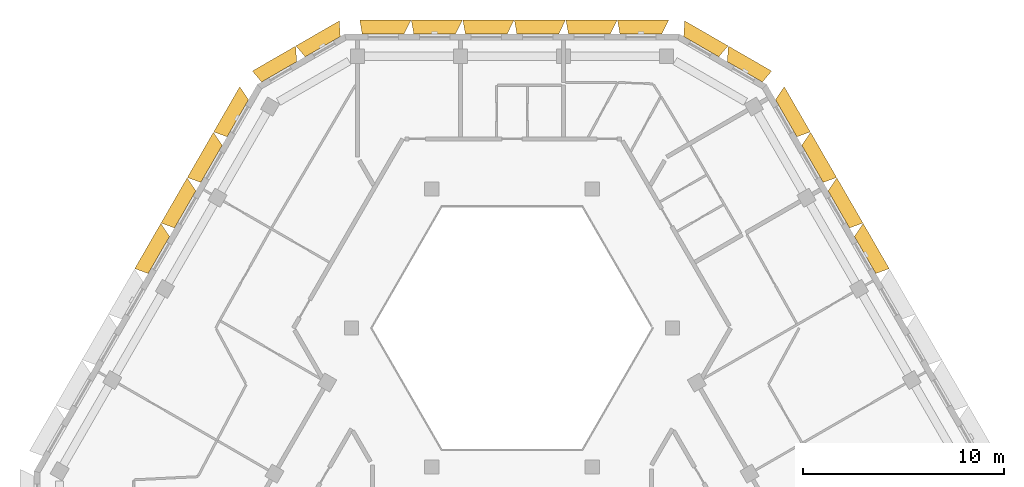
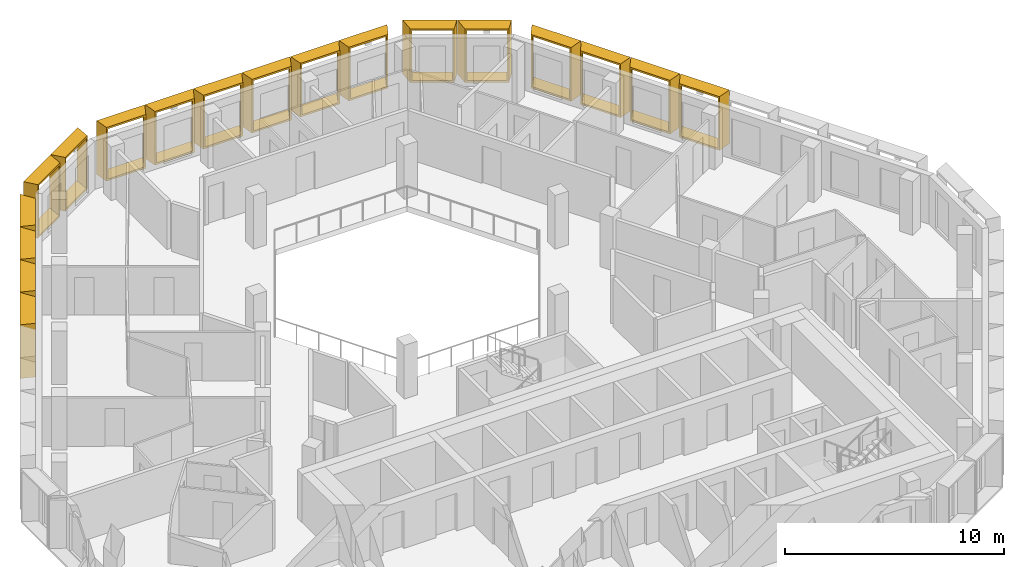
# One storey, part 16 of 16: 18 shading devices.
"""IFC4 building model written with IfcOpenShell, lengths in metres."""

from ifc_helpers import new_model, entity, si_unit, direction, frame, origin, place, context, subcontext, project, spatial, source, transform, mapped, material, type_object, type_shapes, element, save


model = new_model("IFC4")

# Units and contexts
model_context = context("Model", 3, precision=1e-05, world=origin(), true_north=direction((0.0, 1.0)))
body_context = subcontext(model_context, "Body", "Model", "MODEL_VIEW")
ifc_project = project(units=[si_unit("LENGTHUNIT", "METRE"), si_unit("AREAUNIT", "SQUARE_METRE"), si_unit("VOLUMEUNIT", "CUBIC_METRE"), si_unit("PLANEANGLEUNIT", "RADIAN"), si_unit("MASSUNIT", "GRAM", prefix="KILO")], contexts=[model_context])

# Site, building, storey
site_placement = place(None, origin())
site = spatial("IfcSite", under=ifc_project, at=site_placement, CompositionType="ELEMENT")
building_placement = place(site_placement, origin())
building = spatial("IfcBuilding", under=site, at=building_placement, Name="Beryl Residences", CompositionType="ELEMENT")
storey_placement = place(building_placement, frame((0.0, 0.0, 226.800048828125)))
storey = spatial("IfcBuildingStorey", under=building, at=storey_placement, Name="L70", CompositionType="ELEMENT", Elevation=226.800048828125)

# Shading devices
ifc_material_1 = material(Name="Aluminium pale anodised", Category="aluminium")
shading_device_type_1 = type_object("IfcShadingDeviceType", Name="FR250-70B OUTER SKIN frame 700 mm deep, splay 26/10 deg, 2500 x 3000 mm cell", PredefinedType="USERDEFINED", material=ifc_material_1)
cartesian_point_1 = entity("IfcCartesianPoint", [-1.007568359375, 0.0])
cartesian_point_2 = entity("IfcCartesianPoint", [-0.91845703125, 0.10009765625])
cartesian_point_3 = entity("IfcCartesianPoint", [-1.348876953125, 0.0])
cartesian_point_4 = entity("IfcCartesianPoint", [-1.260009765625, 0.10009765625])
shared_shape_1 = source(origin(), body_context, "Body", "SweptSolid", [
    entity("IfcExtrudedAreaSolidTapered", entity("IfcArbitraryProfileDefWithVoids", "AREA", None, entity("IfcPolyline", [cartesian_point_1, entity("IfcCartesianPoint", [1.007568359375, 0.0]), entity("IfcCartesianPoint", [1.007568359375, 3.0]), entity("IfcCartesianPoint", [-1.007568359375, 3.0]), cartesian_point_1]), [entity("IfcPolyline", [cartesian_point_2, entity("IfcCartesianPoint", [0.92626953125, 0.10009765625]), entity("IfcCartesianPoint", [0.92626953125, 2.89990234375]), entity("IfcCartesianPoint", [-0.91845703125, 2.89990234375]), cartesian_point_2])]), entity("IfcAxis2Placement3D", entity("IfcCartesianPoint", [0.0, 0.0, 0.0]), entity("IfcDirection", [0.0, 1.0, 0.0]), entity("IfcDirection", [-1.0, 0.0, 0.0])), entity("IfcDirection", [0.0, 0.0, 1.0]), 0.699951171875, entity("IfcArbitraryProfileDefWithVoids", "AREA", None, entity("IfcPolyline", [cartesian_point_3, entity("IfcCartesianPoint", [1.130859375, 0.0]), entity("IfcCartesianPoint", [1.130859375, 3.0]), entity("IfcCartesianPoint", [-1.348876953125, 3.0]), cartesian_point_3]), [entity("IfcPolyline", [cartesian_point_4, entity("IfcCartesianPoint", [1.0498046875, 0.10009765625]), entity("IfcCartesianPoint", [1.0498046875, 2.89990234375]), entity("IfcCartesianPoint", [-1.260009765625, 2.89990234375]), cartesian_point_4])])),
])
type_shapes(shading_device_type_1, [shared_shape_1])
for number, where, z_axis, x_axis, name in (
    (1, (-9.39599609375, 21.97509765625, 0.0), (0.0, 0.0, 1.0), (0.866025403784, 0.5, 0.0), "FR250-70B frame L70 N-NW 1"),
    (2, (-11.56103515625, 20.72509765625, 0.0), (0.0, 0.0, 1.0), (0.866025403784, 0.5, 0.0), "FR250-70B frame L70 N-NW 2"),
):
    element("IfcShadingDevice", number, at=place(storey_placement, frame(where, z_axis=z_axis, x_axis=x_axis)), inside=storey, type_object=shading_device_type_1, Name=name, ObjectType="OUTER SKIN", PredefinedType="USERDEFINED", context=body_context, shape_type="MappedRepresentation", body=[
        mapped(shared_shape_1, transform((0.0, 0.0, 0.0))),
    ])
ifc_material_2 = material(Name="Aluminium pale anodised", Category="aluminium")
shading_device_type_2 = type_object("IfcShadingDeviceType", Name="FR250-70C OUTER SKIN frame 700 mm deep, splay 10/26 deg, 2500 x 3000 mm cell", PredefinedType="USERDEFINED", material=ifc_material_2)
cartesian_point_5 = entity("IfcCartesianPoint", [-1.007568359375, 0.0])
cartesian_point_6 = entity("IfcCartesianPoint", [-0.92626953125, 0.10009765625])
cartesian_point_7 = entity("IfcCartesianPoint", [-1.130859375, 0.0])
cartesian_point_8 = entity("IfcCartesianPoint", [-1.0498046875, 0.10009765625])
shared_shape_2 = source(origin(), body_context, "Body", "SweptSolid", [
    entity("IfcExtrudedAreaSolidTapered", entity("IfcArbitraryProfileDefWithVoids", "AREA", None, entity("IfcPolyline", [cartesian_point_5, entity("IfcCartesianPoint", [1.007568359375, 0.0]), entity("IfcCartesianPoint", [1.007568359375, 3.0]), entity("IfcCartesianPoint", [-1.007568359375, 3.0]), cartesian_point_5]), [entity("IfcPolyline", [cartesian_point_6, entity("IfcCartesianPoint", [0.91845703125, 0.10009765625]), entity("IfcCartesianPoint", [0.91845703125, 2.89990234375]), entity("IfcCartesianPoint", [-0.92626953125, 2.89990234375]), cartesian_point_6])]), entity("IfcAxis2Placement3D", entity("IfcCartesianPoint", [0.0, 0.0, 0.0]), entity("IfcDirection", [0.0, 1.0, 0.0]), entity("IfcDirection", [-1.0, 0.0, 0.0])), entity("IfcDirection", [0.0, 0.0, 1.0]), 0.699951171875, entity("IfcArbitraryProfileDefWithVoids", "AREA", None, entity("IfcPolyline", [cartesian_point_7, entity("IfcCartesianPoint", [1.348876953125, 0.0]), entity("IfcCartesianPoint", [1.348876953125, 3.0]), entity("IfcCartesianPoint", [-1.130859375, 3.0]), cartesian_point_7]), [entity("IfcPolyline", [cartesian_point_8, entity("IfcCartesianPoint", [1.260009765625, 0.10009765625]), entity("IfcCartesianPoint", [1.260009765625, 2.89990234375]), entity("IfcCartesianPoint", [-1.0498046875, 2.89990234375]), cartesian_point_8])])),
])
type_shapes(shading_device_type_2, [shared_shape_2])
for number, where, z_axis, x_axis, name in (
    (3, (11.56103515625, 20.72509765625, 0.0), (0.0, 0.0, 1.0), (0.866025403784, -0.5, 0.0), "FR250-70C frame L70 NE-N 1"),
    (4, (9.39599609375, 21.97509765625, 0.0), (0.0, 0.0, 1.0), (0.866025403784, -0.5, 0.0), "FR250-70C frame L70 NE-N 2"),
):
    element("IfcShadingDevice", number, at=place(storey_placement, frame(where, z_axis=z_axis, x_axis=x_axis)), inside=storey, type_object=shading_device_type_2, Name=name, ObjectType="OUTER SKIN", PredefinedType="USERDEFINED", context=body_context, shape_type="MappedRepresentation", body=[
        mapped(shared_shape_2, transform((0.0, 0.0, 0.0))),
    ])
ifc_material_3 = material(Name="Aluminium pale anodised", Category="aluminium")
shading_device_type_3 = type_object("IfcShadingDeviceType", Name="FR256-70B OUTER SKIN frame 700 mm deep, splay 26/10 deg, 2560 x 3000 mm cell", PredefinedType="USERDEFINED", material=ifc_material_3)
cartesian_point_9 = entity("IfcCartesianPoint", [-1.03759765625, 0.0])
cartesian_point_10 = entity("IfcCartesianPoint", [-0.948486328125, 0.10009765625])
cartesian_point_11 = entity("IfcCartesianPoint", [-1.37890625, 0.0])
cartesian_point_12 = entity("IfcCartesianPoint", [-1.289794921875, 0.10009765625])
shared_shape_3 = source(origin(), body_context, "Body", "SweptSolid", [
    entity("IfcExtrudedAreaSolidTapered", entity("IfcArbitraryProfileDefWithVoids", "AREA", None, entity("IfcPolyline", [cartesian_point_9, entity("IfcCartesianPoint", [1.03759765625, 0.0]), entity("IfcCartesianPoint", [1.03759765625, 3.0]), entity("IfcCartesianPoint", [-1.03759765625, 3.0]), cartesian_point_9]), [entity("IfcPolyline", [cartesian_point_10, entity("IfcCartesianPoint", [0.956298828125, 0.10009765625]), entity("IfcCartesianPoint", [0.956298828125, 2.89990234375]), entity("IfcCartesianPoint", [-0.948486328125, 2.89990234375]), cartesian_point_10])]), entity("IfcAxis2Placement3D", entity("IfcCartesianPoint", [0.0, 0.0, 0.0]), entity("IfcDirection", [0.0, 1.0, 0.0]), entity("IfcDirection", [-1.0, 0.0, 0.0])), entity("IfcDirection", [0.0, 0.0, 1.0]), 0.699951171875, entity("IfcArbitraryProfileDefWithVoids", "AREA", None, entity("IfcPolyline", [cartesian_point_11, entity("IfcCartesianPoint", [1.160888671875, 0.0]), entity("IfcCartesianPoint", [1.160888671875, 3.0]), entity("IfcCartesianPoint", [-1.37890625, 3.0]), cartesian_point_11]), [entity("IfcPolyline", [cartesian_point_12, entity("IfcCartesianPoint", [1.07958984375, 0.10009765625]), entity("IfcCartesianPoint", [1.07958984375, 2.89990234375]), entity("IfcCartesianPoint", [-1.289794921875, 2.89990234375]), cartesian_point_12])])),
])
type_shapes(shading_device_type_3, [shared_shape_3])
for number, where, z_axis, x_axis, name in (
    (5, (6.39892578125, 22.60009765625, 0.0), (0.0, 0.0, 1.0), (1.0, 0.0, 0.0), "FR256-70B frame L70 N 1"),
    (6, (3.840087890625, 22.60009765625, 0.0), (0.0, 0.0, 1.0), (1.0, 0.0, 0.0), "FR256-70B frame L70 N 2"),
    (7, (1.280029296875, 22.60009765625, 0.0), (0.0, 0.0, 1.0), (1.0, 0.0, 0.0), "FR256-70B frame L70 N 3"),
    (8, (-1.279052734375, 22.60009765625, 0.0), (0.0, 0.0, 1.0), (1.0, 0.0, 0.0), "FR256-70B frame L70 N 4"),
    (9, (-3.839111328125, 22.60009765625, 0.0), (0.0, 0.0, 1.0), (1.0, 0.0, 0.0), "FR256-70B frame L70 N 5"),
    (10, (-6.39794921875, 22.60009765625, 0.0), (0.0, 0.0, 1.0), (1.0, 0.0, 0.0), "FR256-70B frame L70 N 6"),
):
    element("IfcShadingDevice", number, at=place(storey_placement, frame(where, z_axis=z_axis, x_axis=x_axis)), inside=storey, type_object=shading_device_type_3, Name=name, ObjectType="OUTER SKIN", PredefinedType="USERDEFINED", context=body_context, shape_type="MappedRepresentation", body=[
        mapped(shared_shape_3, transform((0.0, 0.0, 0.0))),
    ])
ifc_material_4 = material(Name="Aluminium pale anodised", Category="aluminium")
shading_device_type_4 = type_object("IfcShadingDeviceType", Name="FR261-70B OUTER SKIN frame 700 mm deep, splay 26/10 deg, 2610 x 3000 mm cell", PredefinedType="USERDEFINED", material=ifc_material_4)
cartesian_point_13 = entity("IfcCartesianPoint", [-1.0625, 0.0])
cartesian_point_14 = entity("IfcCartesianPoint", [-0.973388671875, 0.10009765625])
cartesian_point_15 = entity("IfcCartesianPoint", [-1.40380859375, 0.0])
cartesian_point_16 = entity("IfcCartesianPoint", [-1.31494140625, 0.10009765625])
shared_shape_4 = source(origin(), body_context, "Body", "SweptSolid", [
    entity("IfcExtrudedAreaSolidTapered", entity("IfcArbitraryProfileDefWithVoids", "AREA", None, entity("IfcPolyline", [cartesian_point_13, entity("IfcCartesianPoint", [1.0625, 0.0]), entity("IfcCartesianPoint", [1.0625, 3.0]), entity("IfcCartesianPoint", [-1.0625, 3.0]), cartesian_point_13]), [entity("IfcPolyline", [cartesian_point_14, entity("IfcCartesianPoint", [0.981201171875, 0.10009765625]), entity("IfcCartesianPoint", [0.981201171875, 2.89990234375]), entity("IfcCartesianPoint", [-0.973388671875, 2.89990234375]), cartesian_point_14])]), entity("IfcAxis2Placement3D", entity("IfcCartesianPoint", [0.0, 0.0, 0.0]), entity("IfcDirection", [0.0, 1.0, 0.0]), entity("IfcDirection", [-1.0, 0.0, 0.0])), entity("IfcDirection", [0.0, 0.0, 1.0]), 0.699951171875, entity("IfcArbitraryProfileDefWithVoids", "AREA", None, entity("IfcPolyline", [cartesian_point_15, entity("IfcCartesianPoint", [1.18603515625, 0.0]), entity("IfcCartesianPoint", [1.18603515625, 3.0]), entity("IfcCartesianPoint", [-1.40380859375, 3.0]), cartesian_point_15]), [entity("IfcPolyline", [cartesian_point_16, entity("IfcCartesianPoint", [1.104736328125, 0.10009765625]), entity("IfcCartesianPoint", [1.104736328125, 2.89990234375]), entity("IfcCartesianPoint", [-1.31494140625, 2.89990234375]), cartesian_point_16])])),
])
type_shapes(shading_device_type_4, [shared_shape_4])
for number, where, z_axis, x_axis, name in (
    (11, (-13.614013671875, 18.4189453125, 0.0), (0.0, 0.0, 1.0), (0.5, 0.866025403784, 0.0), "FR261-70B frame L70 NW 1"),
    (12, (-14.9208984375, 16.156005859375, 0.0), (0.0, 0.0, 1.0), (0.5, 0.866025403784, 0.0), "FR261-70B frame L70 NW 2"),
    (13, (-16.22705078125, 13.89404296875, 0.0), (0.0, 0.0, 1.0), (0.5, 0.866025403784, 0.0), "FR261-70B frame L70 NW 3"),
    (14, (-17.532958984375, 11.631103515625, 0.0), (0.0, 0.0, 1.0), (0.5, 0.866025403784, 0.0), "FR261-70B frame L70 NW 4"),
):
    element("IfcShadingDevice", number, at=place(storey_placement, frame(where, z_axis=z_axis, x_axis=x_axis)), inside=storey, type_object=shading_device_type_4, Name=name, ObjectType="OUTER SKIN", PredefinedType="USERDEFINED", context=body_context, shape_type="MappedRepresentation", body=[
        mapped(shared_shape_4, transform((0.0, 0.0, 0.0))),
    ])
ifc_material_5 = material(Name="Aluminium pale anodised", Category="aluminium")
shading_device_type_5 = type_object("IfcShadingDeviceType", Name="FR261-70C OUTER SKIN frame 700 mm deep, splay 10/26 deg, 2610 x 3000 mm cell", PredefinedType="USERDEFINED", material=ifc_material_5)
cartesian_point_17 = entity("IfcCartesianPoint", [-1.0625, 0.0])
cartesian_point_18 = entity("IfcCartesianPoint", [-0.981201171875, 0.10009765625])
cartesian_point_19 = entity("IfcCartesianPoint", [-1.18603515625, 0.0])
cartesian_point_20 = entity("IfcCartesianPoint", [-1.104736328125, 0.10009765625])
shared_shape_5 = source(origin(), body_context, "Body", "SweptSolid", [
    entity("IfcExtrudedAreaSolidTapered", entity("IfcArbitraryProfileDefWithVoids", "AREA", None, entity("IfcPolyline", [cartesian_point_17, entity("IfcCartesianPoint", [1.0625, 0.0]), entity("IfcCartesianPoint", [1.0625, 3.0]), entity("IfcCartesianPoint", [-1.0625, 3.0]), cartesian_point_17]), [entity("IfcPolyline", [cartesian_point_18, entity("IfcCartesianPoint", [0.973388671875, 0.10009765625]), entity("IfcCartesianPoint", [0.973388671875, 2.89990234375]), entity("IfcCartesianPoint", [-0.981201171875, 2.89990234375]), cartesian_point_18])]), entity("IfcAxis2Placement3D", entity("IfcCartesianPoint", [0.0, 0.0, 0.0]), entity("IfcDirection", [0.0, 1.0, 0.0]), entity("IfcDirection", [-1.0, 0.0, 0.0])), entity("IfcDirection", [0.0, 0.0, 1.0]), 0.699951171875, entity("IfcArbitraryProfileDefWithVoids", "AREA", None, entity("IfcPolyline", [cartesian_point_19, entity("IfcCartesianPoint", [1.40380859375, 0.0]), entity("IfcCartesianPoint", [1.40380859375, 3.0]), entity("IfcCartesianPoint", [-1.18603515625, 3.0]), cartesian_point_19]), [entity("IfcPolyline", [cartesian_point_20, entity("IfcCartesianPoint", [1.31494140625, 0.10009765625]), entity("IfcCartesianPoint", [1.31494140625, 2.89990234375]), entity("IfcCartesianPoint", [-1.104736328125, 2.89990234375]), cartesian_point_20])])),
])
type_shapes(shading_device_type_5, [shared_shape_5])
for number, where, z_axis, x_axis, name in (
    (15, (17.532958984375, 11.631103515625, 0.0), (0.0, 0.0, 1.0), (0.5, -0.866025403784, 0.0), "FR261-70C frame L70 NE 5"),
    (16, (16.22705078125, 13.89404296875, 0.0), (0.0, 0.0, 1.0), (0.5, -0.866025403784, 0.0), "FR261-70C frame L70 NE 6"),
    (17, (14.9208984375, 16.156005859375, 0.0), (0.0, 0.0, 1.0), (0.5, -0.866025403784, 0.0), "FR261-70C frame L70 NE 7"),
    (18, (13.614013671875, 18.4189453125, 0.0), (0.0, 0.0, 1.0), (0.5, -0.866025403784, 0.0), "FR261-70C frame L70 NE 8"),
):
    element("IfcShadingDevice", number, at=place(storey_placement, frame(where, z_axis=z_axis, x_axis=x_axis)), inside=storey, type_object=shading_device_type_5, Name=name, ObjectType="OUTER SKIN", PredefinedType="USERDEFINED", context=body_context, shape_type="MappedRepresentation", body=[
        mapped(shared_shape_5, transform((0.0, 0.0, 0.0))),
    ])

save(model, "model.ifc")
